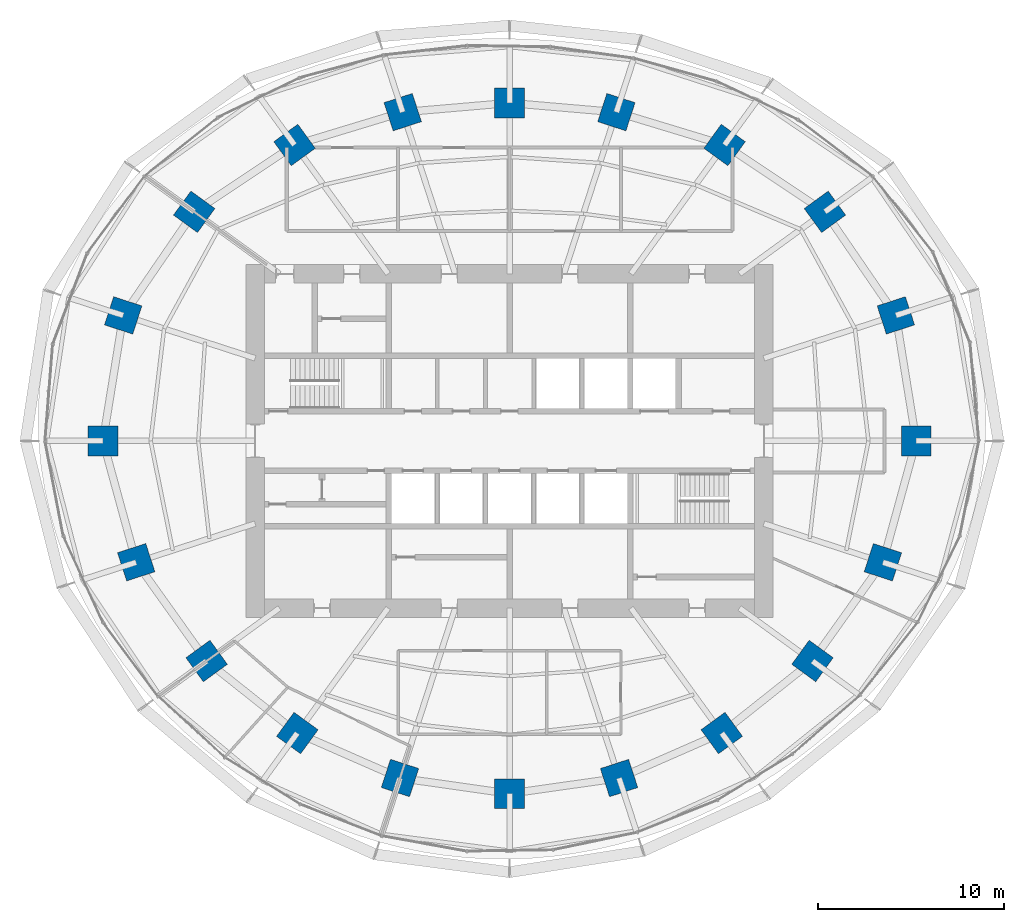
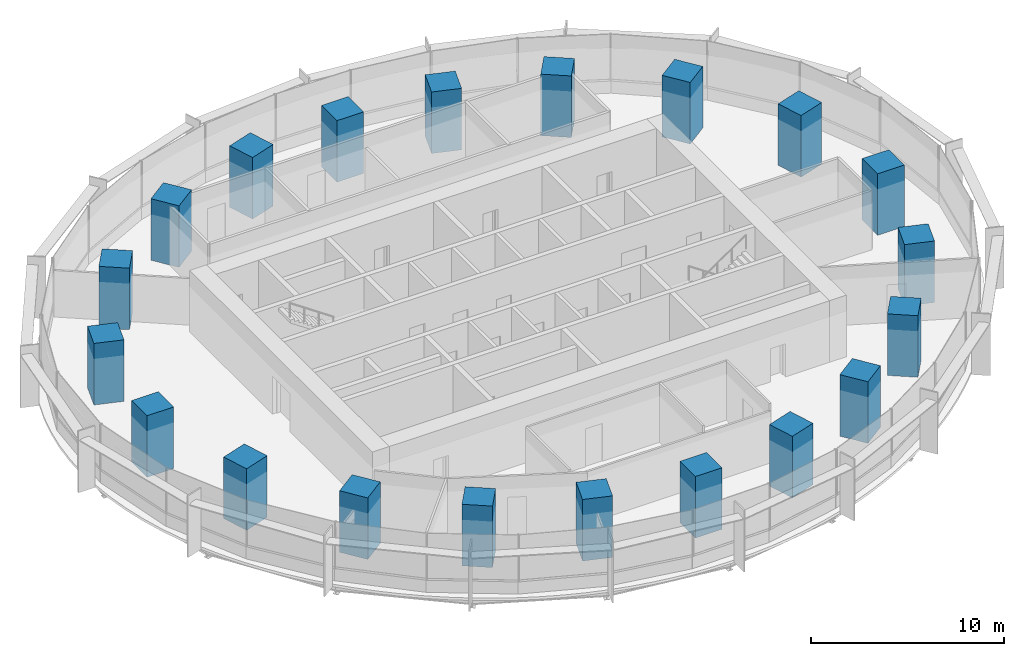
# One storey, part 1 of 14: 20 columns.
"""IFC4 building model written with IfcOpenShell, lengths in metres."""

from ifc_helpers import new_model, si_unit, direction, frame, origin, origin_2d, place, context, subcontext, project, spatial, rectangle, extrude, material, material_profile, profile_set, type_object, element, save


model = new_model("IFC4")

# Units and contexts
model_context = context("Model", 3, precision=1e-05, world=origin(), true_north=direction((0.0, 1.0)))
body_context = subcontext(model_context, "Body", "Model", "MODEL_VIEW")
ifc_project = project(units=[si_unit("LENGTHUNIT", "METRE"), si_unit("AREAUNIT", "SQUARE_METRE"), si_unit("VOLUMEUNIT", "CUBIC_METRE"), si_unit("PLANEANGLEUNIT", "RADIAN"), si_unit("MASSUNIT", "GRAM", prefix="KILO")], contexts=[model_context])

# Site, building, storey
site_placement = place(None, origin())
site = spatial("IfcSite", under=ifc_project, at=site_placement, CompositionType="ELEMENT")
building_placement = place(site_placement, origin())
building = spatial("IfcBuilding", under=site, at=building_placement, Name="Marramba Exchange Tower", CompositionType="ELEMENT")
storey_placement = place(building_placement, frame((0.0, 0.0, 158.699951171875)))
storey = spatial("IfcBuildingStorey", under=building, at=storey_placement, Name="L38", CompositionType="ELEMENT", Elevation=158.699951171875)

# Columns
ifc_material = material(Name="Concrete N50", Category="concrete")
ifc_material_profile = material_profile(ifc_material, rectangle(XDim=1.60009765625, YDim=1.60009765625, at=origin_2d()), Name="RC 1600x1600")
ifc_profile_set = profile_set([ifc_material_profile], Name="Concrete N50")
column_type = type_object("IfcColumnType", Name="Perimeter column RC 1600x1600 N50", PredefinedType="COLUMN", material=ifc_profile_set)
for number, where, z_axis, x_axis, name in (
    (1, (21.89990234375, 0.0, 0.0), (0.0, 0.0, 1.0), (1.0, 0.0, 0.0), "Column TC01 L38"),
    (2, (20.808349609375, 6.760986328125, 0.0), (0.0, 0.0, 1.0), (0.951056516295, 0.309016994375, 0.0), "Column TC02 L38"),
    (3, (16.98583984375, 12.3408203125, 0.0), (0.0, 0.0, 1.0), (0.809016994375, 0.587785252292, 0.0), "Column TC03 L38"),
    (4, (11.581298828125, 15.9404296875, 0.0), (0.0, 0.0, 1.0), (0.587785252292, 0.809016994375, 0.0), "Column TC04 L38"),
    (5, (5.75390625, 17.70849609375, 0.0), (0.0, 0.0, 1.0), (0.309016994375, 0.951056516295, 0.0), "Column TC05 L38"),
    (6, (0.0, 18.2041015625, 0.0), (0.0, 0.0, 1.0), (0.0, 1.0, 0.0), "Column TC06 L38"),
    (7, (-5.75390625, 17.70849609375, 0.0), (0.0, 0.0, 1.0), (-0.309016994375, 0.951056516295, 0.0), "Column TC07 L38"),
    (8, (-11.581298828125, 15.9404296875, 0.0), (0.0, 0.0, 1.0), (-0.587785252292, 0.809016994375, 0.0), "Column TC08 L38"),
    (9, (-16.98583984375, 12.3408203125, 0.0), (0.0, 0.0, 1.0), (-0.809016994375, 0.587785252292, 0.0), "Column TC09 L38"),
    (10, (-20.808349609375, 6.760986328125, 0.0), (0.0, 0.0, 1.0), (-0.951056516295, 0.309016994375, 0.0), "Column TC10 L38"),
    (11, (-21.89990234375, 0.0, 0.0), (0.0, 0.0, 1.0), (-1.0, 0.0, 0.0), "Column TC11 L38"),
    (12, (-20.109375, -6.533935546875, 0.0), (0.0, 0.0, 1.0), (-0.951056516295, -0.309016994375, 0.0), "Column TC12 L38"),
    (13, (-16.3154296875, -11.853759765625, 0.0), (0.0, 0.0, 1.0), (-0.809016994375, -0.587785252292, 0.0), "Column TC13 L38"),
    (14, (-11.430419921875, -15.732666015625, 0.0), (0.0, 0.0, 1.0), (-0.587785252292, -0.809016994375, 0.0), "Column TC14 L38"),
    (15, (-5.899658203125, -18.156982421875, 0.0), (0.0, 0.0, 1.0), (-0.309016994375, -0.951056516295, 0.0), "Column TC15 L38"),
    (16, (0.0, -18.99609375, 0.0), (0.0, 0.0, 1.0), (0.0, -1.0, 0.0), "Column TC16 L38"),
    (17, (5.899658203125, -18.156982421875, 0.0), (0.0, 0.0, 1.0), (0.309016994375, -0.951056516295, 0.0), "Column TC17 L38"),
    (18, (11.430419921875, -15.732666015625, 0.0), (0.0, 0.0, 1.0), (0.587785252292, -0.809016994375, 0.0), "Column TC18 L38"),
    (19, (16.3154296875, -11.853759765625, 0.0), (0.0, 0.0, 1.0), (0.809016994375, -0.587785252292, 0.0), "Column TC19 L38"),
    (20, (20.109375, -6.533935546875, 0.0), (0.0, 0.0, 1.0), (0.951056516295, -0.309016994375, 0.0), "Column TC20 L38"),
):
    element("IfcColumn", number, at=place(storey_placement, frame(where, z_axis=z_axis, x_axis=x_axis)), inside=storey, type_object=column_type, Name=name, PredefinedType="COLUMN", context=body_context, shape_type="SweptSolid", body=[
        extrude(rectangle(XDim=1.60009765625, YDim=1.60009765625, at=origin_2d()), origin(), (0.0, 0.0, 1.0), 3.900146484375),
    ])

save(model, "model.ifc")
